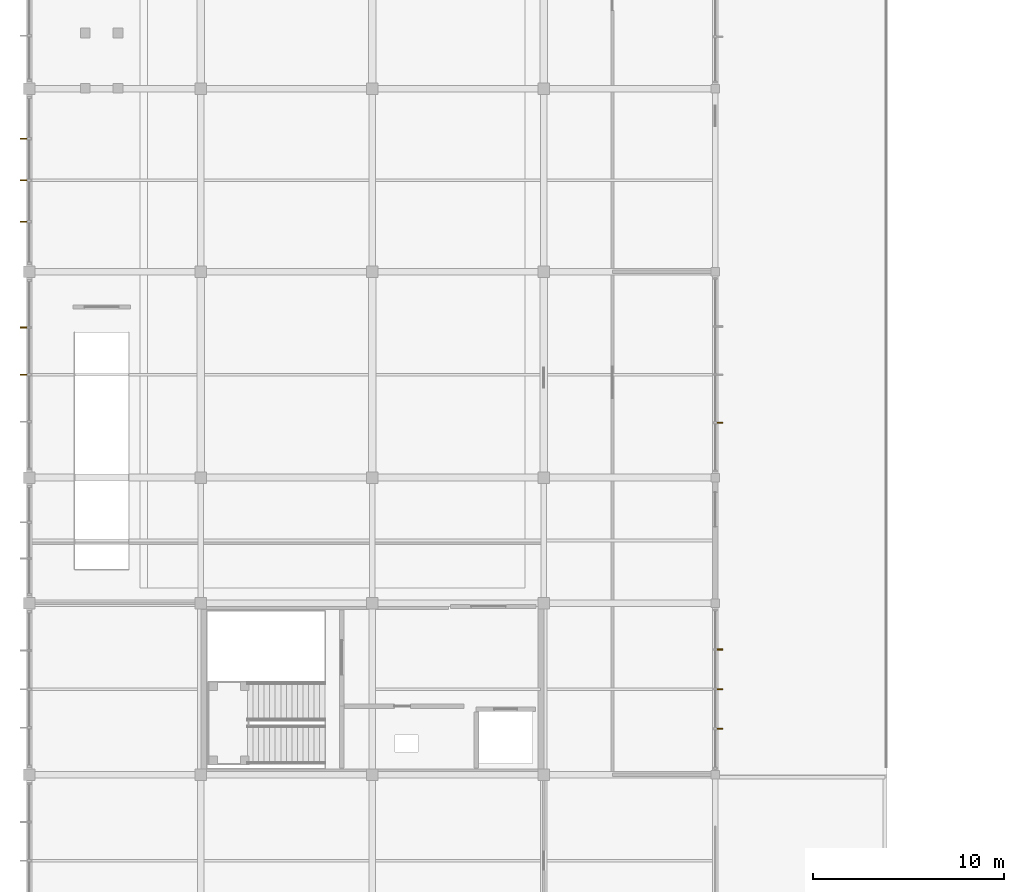
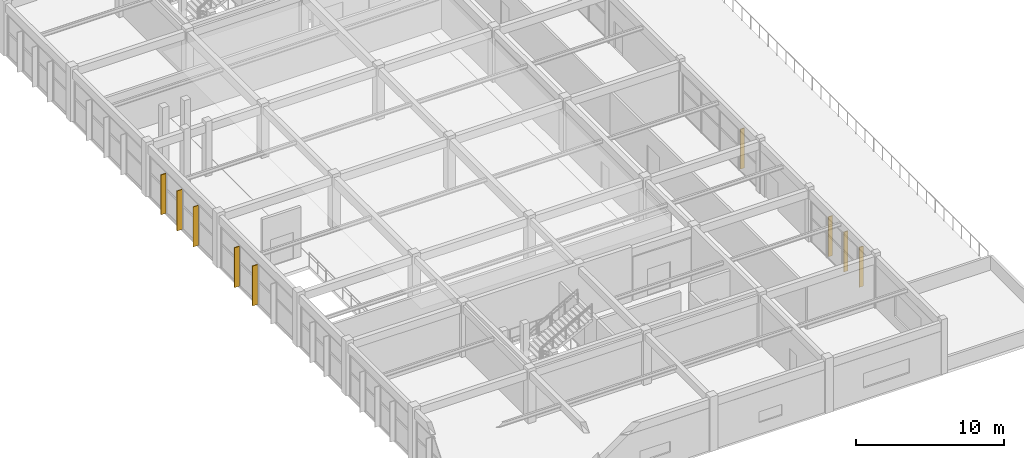
# One storey, part 74 of 89: 9 shading devices.
"""IFC4 building model written with IfcOpenShell, lengths in metres."""

import ifcopenshell
import ifcopenshell.guid

model = None  # the IFC model being written
_history = None  # IfcOwnerHistory: only IFC2X3 demands one
_inside = {}  # id of a spatial element -> (the spatial element, [elements in it])
_under = {}  # id of a project, library or spatial element -> (it, [spatial elements below it])
_declared = {}  # id of a project -> (the project, [libraries it declares])
_typed = {}  # id of a type object -> (the type object, [elements of that type])
_made_of = {}  # id of a material, layer set ... -> (it, [elements and type objects made of it])


def new_model(schema):
    """Start an empty IFC model of exactly this schema.

    Asked for "IFC4X3", IfcOpenShell would pick the latest addendum, in which some entities
    have other attributes; the version numbers below select the first issue.
    IFC2X3 requires an IfcOwnerHistory on every rooted entity: one is made here for all.
    """
    global model, _history
    if schema == "IFC4X3":
        model = ifcopenshell.file(schema_version=(4, 3, 0, 0))
    else:
        model = ifcopenshell.file(schema=schema)
    _inside.clear()
    _under.clear()
    _declared.clear()
    _typed.clear()
    _made_of.clear()
    _history = None
    if model.schema == "IFC2X3":
        org = make("IfcOrganization", Name="unknown")
        user = make(
            "IfcPersonAndOrganization",
            ThePerson=make("IfcPerson", FamilyName="unknown"),
            TheOrganization=org,
        )
        app = make(
            "IfcApplication",
            ApplicationDeveloper=org,
            Version="unknown",
            ApplicationFullName="unknown",
            ApplicationIdentifier="unknown",
        )
        _history = make(
            "IfcOwnerHistory",
            OwningUser=user,
            OwningApplication=app,
            ChangeAction="ADDED",
            CreationDate=0,
        )
    return model


def make(cls, **values):
    """One entity of the class cls with the attributes given. An attribute that is None is left unset."""
    return model.create_entity(
        cls, **{name: value for name, value in values.items() if value is not None}
    )


def rooted(cls, **values):
    """An entity with a GlobalId (a new one), such as an element, a storey or a relation."""
    return make(cls, GlobalId=ifcopenshell.guid.new(), OwnerHistory=_history, **values)


def si_unit(unit_type, name, prefix=None):
    """IfcSIUnit, for example si_unit("LENGTHUNIT", "METRE", prefix="MILLI")."""
    return make("IfcSIUnit", UnitType=unit_type, Prefix=prefix, Name=name)


def assignment(units):
    """IfcUnitAssignment: the units of a project."""
    return None if units is None else make("IfcUnitAssignment", Units=units)


def point(xyz):
    """IfcCartesianPoint."""
    return None if xyz is None else make("IfcCartesianPoint", Coordinates=xyz)


def direction(xyz):
    """IfcDirection."""
    return None if xyz is None else make("IfcDirection", DirectionRatios=xyz)


def frame(location, z_axis=None, x_axis=None):
    """IfcAxis2Placement3D, a coordinate frame: its origin and axes. An axis left out is left unset."""
    return make(
        "IfcAxis2Placement3D",
        Location=point(location),
        Axis=direction(z_axis),
        RefDirection=direction(x_axis),
    )


def frame_2d(location, x_axis=None):
    """IfcAxis2Placement2D, a coordinate frame in the plane: its origin and x axis."""
    return make(
        "IfcAxis2Placement2D", Location=point(location), RefDirection=direction(x_axis)
    )


def origin():
    """The frame at (0, 0, 0) with its axes left unset."""
    return frame((0.0, 0.0, 0.0))


def origin_2d():
    """The frame at (0, 0) in the plane with its x axis left unset."""
    return frame_2d((0.0, 0.0))


def place(relative_to, where):
    """IfcLocalPlacement: puts the frame where relative to a parent placement (None: the world)."""
    return make(
        "IfcLocalPlacement", PlacementRelTo=relative_to, RelativePlacement=where
    )


def context(
    kind, dimensions, precision=None, world=None, true_north=None, identifier=None
):
    """IfcGeometricRepresentationContext, for example the 3D "Model" context."""
    return make(
        "IfcGeometricRepresentationContext",
        ContextIdentifier=identifier,
        ContextType=kind,
        CoordinateSpaceDimension=dimensions,
        Precision=precision,
        WorldCoordinateSystem=world,
        TrueNorth=true_north,
    )


def subcontext(parent, identifier, kind, view, scale=None):
    """IfcGeometricRepresentationSubContext, for example "Body" below "Model"."""
    return make(
        "IfcGeometricRepresentationSubContext",
        ContextIdentifier=identifier,
        ContextType=kind,
        ParentContext=parent,
        TargetScale=scale,
        TargetView=view,
    )


def project(units=None, contexts=None):
    """IfcProject with its units and contexts."""
    return rooted(
        "IfcProject",
        Name="project",
        RepresentationContexts=contexts,
        UnitsInContext=assignment(units),
    )


def spatial(cls, under=None, at=None, **own):
    """A site, building, storey or space (cls), placed at a placement, below another one or the project."""
    s = rooted(cls, ObjectPlacement=at, **own)
    if under is not None:
        _under.setdefault(under.id(), (under, []))[1].append(s)
    return s


def profile(cls, at=None, kind="AREA", **sizes):
    """A parametric profile (cls). Its sizes go by their IFC names, for example OverallWidth=200.0."""
    return make(cls, ProfileType=kind, Position=at, **sizes)


def rectangle(**sizes):
    """IfcRectangleProfileDef."""
    return profile("IfcRectangleProfileDef", **sizes)


def extrude(swept, where, along, depth):
    """IfcExtrudedAreaSolid: the profile swept, set in the frame where, extruded along a direction by depth."""
    return make(
        "IfcExtrudedAreaSolid",
        SweptArea=swept,
        Position=where,
        ExtrudedDirection=direction(along),
        Depth=depth,
    )


def shape(context_of_items, identifier, shape_type, items):
    """IfcShapeRepresentation: the items that make up one representation, for example the "Body"."""
    return make(
        "IfcShapeRepresentation",
        ContextOfItems=context_of_items,
        RepresentationIdentifier=identifier,
        RepresentationType=shape_type,
        Items=items,
    )


def material(Name=None, Category=None):
    """IfcMaterial."""
    return make("IfcMaterial", Name=Name, Category=Category)


def made_of(thing, what):
    """Note that an element or type object is made of a material, layer set ...; save() writes the relation."""
    if what is not None:
        _made_of.setdefault(what.id(), (what, []))[1].append(thing)
    return thing


def type_object(cls, material=None, **own):
    """A type object (cls), such as IfcWallType, which elements share."""
    return made_of(rooted(cls, **own), material)


def element(
    cls,
    number,
    at=None,
    inside=None,
    cuts=None,
    type_object=None,
    material=None,
    context=None,
    identifier="Body",
    shape_type=None,
    held_by="IfcProductDefinitionShape",
    body=None,
    shapes=None,
    **own,
):
    """One element of the class cls, such as IfcWall. Its Tag is "e" and its number.

    at: its placement. inside: the storey or other place that contains it. cuts: it is an
    opening in that element (IfcRelVoidsElement). A single representation is given by context,
    identifier, shape_type and body (its items); several are given by shapes. held_by: the class
    of the entity that holds the representations. save() writes the other relations.
    """
    e = rooted(cls, Tag="e%d" % number, ObjectPlacement=at, **own)
    if body is not None:
        shapes = [shape(context, identifier, shape_type, body)]
    if shapes is not None:
        e.Representation = make(held_by, Representations=shapes)
    if inside is not None:
        _inside.setdefault(inside.id(), (inside, []))[1].append(e)
    if cuts is not None:
        rooted(
            "IfcRelVoidsElement", RelatingBuildingElement=cuts, RelatedOpeningElement=e
        )
    if type_object is not None:
        _typed.setdefault(type_object.id(), (type_object, []))[1].append(e)
    return made_of(e, material)


def aggregate(whole, parts):
    """IfcRelAggregates: a whole, such as a stair, and the parts it consists of."""
    return rooted("IfcRelAggregates", RelatingObject=whole, RelatedObjects=parts)


def save(model, path):
    """Write the relations noted so far, then the file.

    IfcRelAggregates (storeys below a building ...), IfcRelContainedInSpatialStructure (elements
    in a storey), IfcRelDefinesByType, IfcRelAssociatesMaterial and IfcRelDeclares: one each for
    every whole, place, type object, material and project.
    """
    for whole, parts in _under.values():
        aggregate(whole, parts)
    for where, things in _inside.values():
        rooted(
            "IfcRelContainedInSpatialStructure",
            RelatedElements=things,
            RelatingStructure=where,
        )
    for kind, things in _typed.values():
        rooted("IfcRelDefinesByType", RelatedObjects=things, RelatingType=kind)
    for what, things in _made_of.values():
        rooted("IfcRelAssociatesMaterial", RelatedObjects=things, RelatingMaterial=what)
    for by, libraries in _declared.values():
        rooted("IfcRelDeclares", RelatingContext=by, RelatedDefinitions=libraries)
    model.write(path)


model = new_model("IFC4")

# Units and contexts
model_context = context("Model", 3, precision=1e-05, world=origin(), true_north=direction((0.0, 1.0)))
body_context = subcontext(model_context, "Body", "Model", "MODEL_VIEW")
ifc_project = project(units=[si_unit("LENGTHUNIT", "METRE"), si_unit("AREAUNIT", "SQUARE_METRE"), si_unit("VOLUMEUNIT", "CUBIC_METRE"), si_unit("PLANEANGLEUNIT", "RADIAN"), si_unit("MASSUNIT", "GRAM", prefix="KILO")], contexts=[model_context])

# Site, building, storey
site_placement = place(None, origin())
site = spatial("IfcSite", under=ifc_project, at=site_placement, CompositionType="ELEMENT")
building_placement = place(site_placement, origin())
building = spatial("IfcBuilding", under=site, at=building_placement, Name="Suirenkawa Promenade Aquatics Centre", CompositionType="ELEMENT")
storey_placement = place(building_placement, frame((0.0, 0.0, 9.60009765625)))
storey = spatial("IfcBuildingStorey", under=building, at=storey_placement, Name="L02", CompositionType="ELEMENT", Elevation=9.60009765625)

# Shading devices
ifc_material = material(Name="Anodised aluminium 6063-T6", Category="aluminium")
shading_device_type_1 = type_object("IfcShadingDeviceType", Name="SDT-KOUSHI-320", PredefinedType="USERDEFINED", material=ifc_material)
for number, where, z_axis, x_axis, name in (
    (1, (36.23193359375, 19.775390625, 0.039794921875), (0.0, 0.0, 1.0), (1.0, 0.0, 0.0), "Vertical solar shading fin FN-02 FIN-0149"),
    (2, (36.23193359375, 17.699951171875, 0.039794921875), (0.0, 0.0, 1.0), (1.0, 0.0, 0.0), "Vertical solar shading fin FN-02 FIN-0150"),
    (3, (36.23193359375, 15.62451171875, 0.039794921875), (0.0, 0.0, 1.0), (1.0, 0.0, 0.0), "Vertical solar shading fin FN-02 FIN-0151"),
    (4, (36.23193359375, 31.674560546875, 0.039794921875), (0.0, 0.0, 1.0), (1.0, 0.0, 0.0), "Vertical solar shading fin FN-02 FIN-0159"),
):
    element("IfcShadingDevice", number, at=place(storey_placement, frame(where, z_axis=z_axis, x_axis=x_axis)), inside=storey, type_object=shading_device_type_1, Name=name, ObjectType="FIN", PredefinedType="USERDEFINED", context=body_context, shape_type="SweptSolid", body=[
        extrude(rectangle(XDim=0.320068359375, YDim=0.06005859375, at=origin_2d()), origin(), (0.0, 0.0, 1.0), 3.2900390625),
    ])
shading_device_type_2 = type_object("IfcShadingDeviceType", Name="SDT-KOUSHI-400", PredefinedType="USERDEFINED", material=ifc_material)
for number, where, z_axis, x_axis, name in (
    (5, (-0.287109375, 34.199951171875, 0.039794921875), (0.0, 0.0, 1.0), (-1.0, 0.0, 0.0), "Vertical solar shading fin FN-01 FIN-0155"),
    (6, (-0.287109375, 36.675537109375, 0.039794921875), (0.0, 0.0, 1.0), (-1.0, 0.0, 0.0), "Vertical solar shading fin FN-01 FIN-0156"),
    (7, (-0.287109375, 42.224609375, 0.039794921875), (0.0, 0.0, 1.0), (-1.0, 0.0, 0.0), "Vertical solar shading fin FN-01 FIN-0160"),
    (8, (-0.287109375, 44.39990234375, 0.039794921875), (0.0, 0.0, 1.0), (-1.0, 0.0, 0.0), "Vertical solar shading fin FN-01 FIN-0161"),
    (9, (-0.287109375, 46.575439453125, 0.039794921875), (0.0, 0.0, 1.0), (-1.0, 0.0, 0.0), "Vertical solar shading fin FN-01 FIN-0162"),
):
    element("IfcShadingDevice", number, at=place(storey_placement, frame(where, z_axis=z_axis, x_axis=x_axis)), inside=storey, type_object=shading_device_type_2, Name=name, ObjectType="FIN", PredefinedType="USERDEFINED", context=body_context, shape_type="SweptSolid", body=[
        extrude(rectangle(XDim=0.39990234375, YDim=0.06005859375, at=origin_2d()), origin(), (0.0, 0.0, 1.0), 3.2900390625),
    ])

save(model, "model.ifc")
